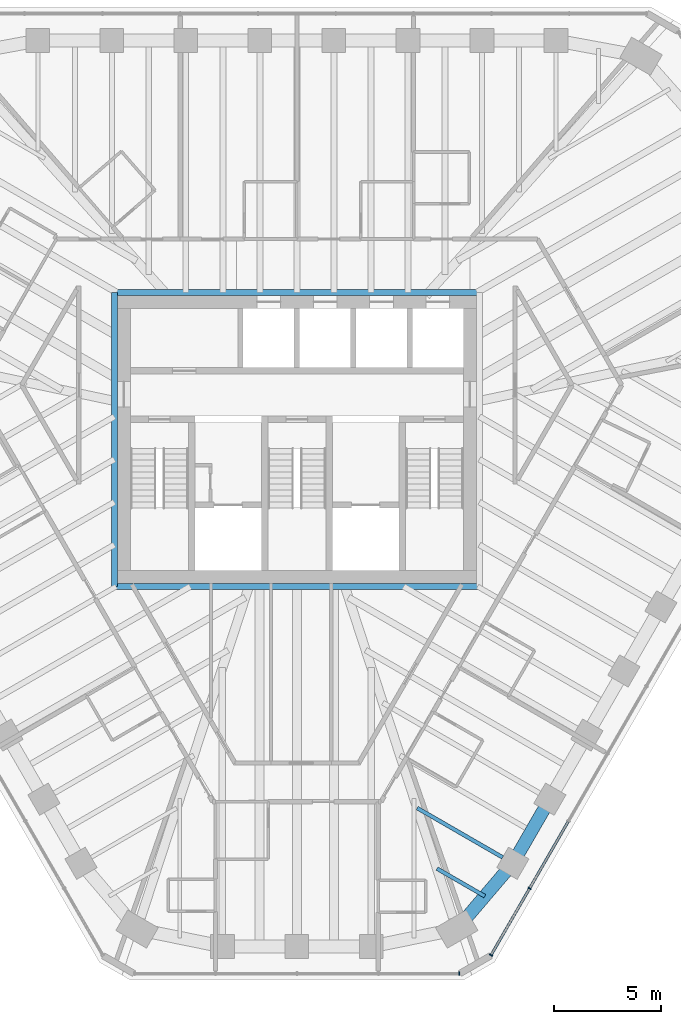
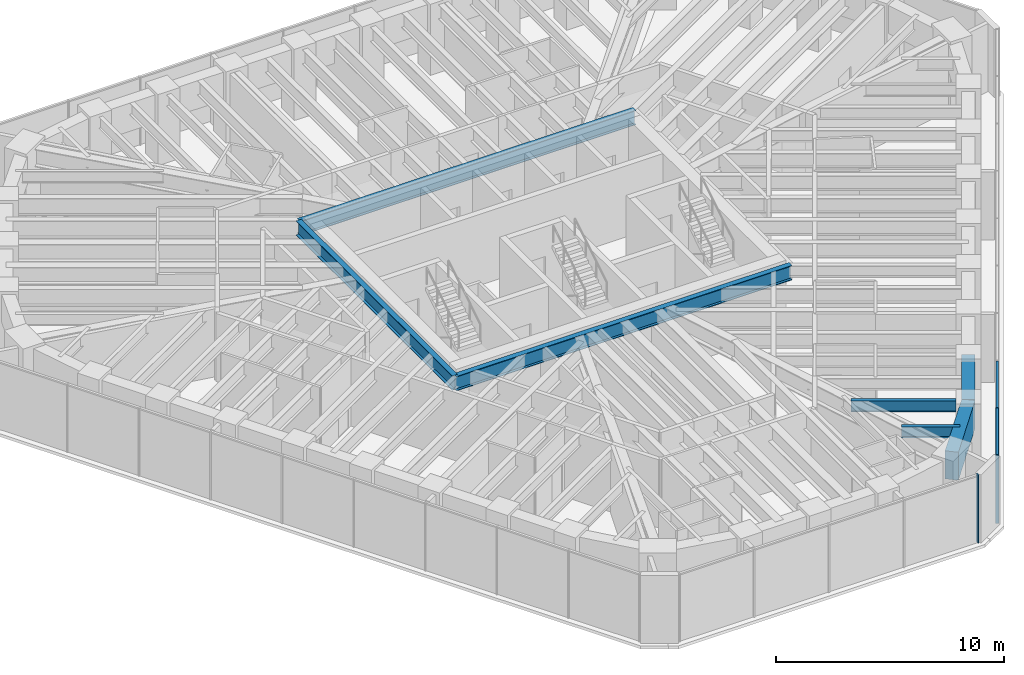
# One storey, part 4 of 14: 7 beams, 5 members, 2 elements without a shape of their own.
"""IFC4 building model written with IfcOpenShell, lengths in metres."""

from ifc_helpers import new_model, si_unit, direction, frame, origin, origin_2d, place, context, subcontext, project, spatial, rectangle, i_section, extrude, material, material_profile, profile_set, type_object, element, aggregate, save


model = new_model("IFC4")

# Units and contexts
model_context = context("Model", 3, precision=1e-05, world=origin(), true_north=direction((0.0, 1.0)))
body_context = subcontext(model_context, "Body", "Model", "MODEL_VIEW")
ifc_project = project(units=[si_unit("LENGTHUNIT", "METRE"), si_unit("AREAUNIT", "SQUARE_METRE"), si_unit("VOLUMEUNIT", "CUBIC_METRE"), si_unit("PLANEANGLEUNIT", "RADIAN"), si_unit("MASSUNIT", "GRAM", prefix="KILO")], contexts=[model_context])

# Site, building, storey
site_placement = place(None, origin())
site = spatial("IfcSite", under=ifc_project, at=site_placement, CompositionType="ELEMENT")
building_placement = place(site_placement, origin())
building = spatial("IfcBuilding", under=site, at=building_placement, Name="Sandreach Pilgrim Tower", CompositionType="ELEMENT")
storey_placement = place(building_placement, frame((0.0, 0.0, 295.0)))
storey = spatial("IfcBuildingStorey", under=building, at=storey_placement, Name="L74", CompositionType="ELEMENT", Elevation=295.0)

# Curtain wall, members
ifc_material_1 = material(Name="Aluminium framed curtain wall", Category="aluminium")
curtain_wall_type = type_object("IfcCurtainWallType", Name="Suite tower curtain wall", PredefinedType="NOTDEFINED", material=ifc_material_1)
curtain_wall_1_placement = place(storey_placement, origin())
curtain_wall_1 = element("IfcCurtainWall", 1, at=curtain_wall_1_placement, inside=storey, type_object=curtain_wall_type, Name="CW-4 L74 SE", PredefinedType="NOTDEFINED")
ifc_material_2 = material(Name="Aluminium extrusion", Category="aluminium")
ifc_material_profile_1 = material_profile(ifc_material_2, rectangle(XDim=0.06005859375, YDim=0.159912109375, at=origin_2d()), Name="CW-4M 60X160")
ifc_profile_set_1 = profile_set([ifc_material_profile_1], Name="Aluminium extrusion")
member_type_1 = type_object("IfcMemberType", Name="CW-4 mullion", PredefinedType="MULLION", material=ifc_profile_set_1)
member_1_placement = place(storey_placement, frame((10.83203125, -20.891357421875, 0.0), z_axis=(0.0, 0.0, 1.0), x_axis=(-0.5, -0.866025403784, 0.0)))
member_1 = element("IfcMember", 2, at=member_1_placement, type_object=member_type_1, Name="CW-4 mullion 9", PredefinedType="MULLION", context=body_context, shape_type="SweptSolid", body=[
    extrude(rectangle(XDim=0.06005859375, YDim=0.159912109375, at=origin_2d()), origin(), (0.0, 0.0, 1.0), 3.639892578125),
])
member_2_placement = place(storey_placement, frame((9.035888671875, -24.001953125, 0.0), z_axis=(0.0, 0.0, 1.0), x_axis=(-0.5, -0.866025403784, 0.0)))
member_2 = element("IfcMember", 3, at=member_2_placement, type_object=member_type_1, Name="CW-4 mullion 10", PredefinedType="MULLION", context=body_context, shape_type="SweptSolid", body=[
    extrude(rectangle(XDim=0.06005859375, YDim=0.159912109375, at=origin_2d()), origin(), (0.0, 0.0, 1.0), 3.639892578125),
])

# Curtain wall, member
curtain_wall_2_placement = place(storey_placement, origin())
curtain_wall_2 = element("IfcCurtainWall", 4, at=curtain_wall_2_placement, inside=storey, type_object=curtain_wall_type, Name="CW-4 L74 S", PredefinedType="NOTDEFINED")
member_3_placement = place(storey_placement, frame((7.553466796875, -24.858154296875, 0.0), z_axis=(0.0, 0.0, 1.0), x_axis=(-1.0, 0.0, 0.0)))
member_3 = element("IfcMember", 5, at=member_3_placement, type_object=member_type_1, Name="CW-4 mullion 1", PredefinedType="MULLION", context=body_context, shape_type="SweptSolid", body=[
    extrude(rectangle(XDim=0.06005859375, YDim=0.159912109375, at=origin_2d()), origin(), (0.0, 0.0, 1.0), 3.639892578125),
])
aggregate(curtain_wall_2, [member_3])

# Member
ifc_material_3 = material(Name="Aluminium extrusion", Category="aluminium")
ifc_material_profile_2 = material_profile(ifc_material_3, rectangle(XDim=0.1201171875, YDim=0.070068359375, at=origin_2d()), Name="CW-4T 120X70")
ifc_profile_set_2 = profile_set([ifc_material_profile_2], Name="Aluminium extrusion")
member_type_2 = type_object("IfcMemberType", Name="CW-4 transom", PredefinedType="USERDEFINED", material=ifc_profile_set_2)
member_4_placement = place(storey_placement, frame((12.6279296875, -17.78076171875, 3.60498046875), z_axis=(-0.500009219579, -0.866020080793, 0.0), x_axis=(0.866020080793, -0.500009219579, 0.0)))
member_4 = element("IfcMember", 6, at=member_4_placement, type_object=member_type_2, Name="CW-4 head transom 8", ObjectType="TRANSOM", PredefinedType="USERDEFINED", context=body_context, shape_type="SweptSolid", body=[
    extrude(rectangle(XDim=0.1201171875, YDim=0.070068359375, at=origin_2d()), origin(), (0.0, 0.0, 1.0), 3.56201171875),
])

member_5_placement = place(storey_placement, frame((10.81689453125, -20.91748046875, 3.60498046875), z_axis=(-0.499997709859, -0.866026725994, 0.0), x_axis=(0.866026725994, -0.499997709859, 0.0)))
member_5 = element("IfcMember", 7, at=member_5_placement, type_object=member_type_2, Name="CW-4 head transom 9", ObjectType="TRANSOM", PredefinedType="USERDEFINED", context=body_context, shape_type="SweptSolid", body=[
    extrude(rectangle(XDim=0.1201171875, YDim=0.070068359375, at=origin_2d()), origin(), (0.0, 0.0, 1.0), 3.53173828125),
])

aggregate(curtain_wall_1, [member_1, member_2, member_4, member_5])

# Beams
ifc_material_4 = material(Name="Steel ASTM A992 Grade 50", Category="steel")
ifc_material_profile_3 = material_profile(ifc_material_4, i_section(OverallWidth=0.2666015625, OverallDepth=0.77978515625, WebThickness=0.0166015625, FlangeThickness=0.030029296875, at=origin_2d()), Name="W30X148")
ifc_profile_set_3 = profile_set([ifc_material_profile_3], Name="Steel ASTM A992 Grade 50")
beam_type_1 = type_object("IfcBeamType", Name="Core edge beam W30X148", PredefinedType="BEAM", material=ifc_profile_set_3)
for number, where, z_axis, x_axis, name in (
    (8, (-8.493408203125, 6.84326171875, 3.25), (1.0, 0.0, 0.0), (0.0, 1.0, 0.0), "BM L74 CEN"),
    (9, (8.493408203125, -6.84326171875, 3.25), (-1.0, 0.0, 0.0), (0.0, -1.0, 0.0), "BM L74 CES"),
):
    element("IfcBeam", number, at=place(storey_placement, frame(where, z_axis=z_axis, x_axis=x_axis)), inside=storey, type_object=beam_type_1, Name=name, PredefinedType="BEAM", context=body_context, shape_type="SweptSolid", body=[
        extrude(i_section(OverallWidth=0.2666015625, OverallDepth=0.77978515625, WebThickness=0.0166015625, FlangeThickness=0.030029296875, at=origin_2d()), origin(), (0.0, 0.0, 1.0), 16.98681640625),
    ])
beam_1_placement = place(storey_placement, frame((-8.493408203125, -6.84326171875, 3.25), z_axis=(0.0, 1.0, 0.0), x_axis=(-1.0, 0.0, 0.0)))
element("IfcBeam", 10, at=beam_1_placement, inside=storey, type_object=beam_type_1, Name="BM L74 CEW", PredefinedType="BEAM", context=body_context, shape_type="SweptSolid", body=[
    extrude(i_section(OverallWidth=0.2666015625, OverallDepth=0.77978515625, WebThickness=0.0166015625, FlangeThickness=0.030029296875, at=origin_2d()), origin(), (0.0, 0.0, 1.0), 13.6865234375),
])
ifc_material_5 = material(Name="Steel ASTM A992 Grade 50", Category="steel")
ifc_material_profile_4 = material_profile(ifc_material_5, i_section(OverallWidth=0.1787109375, OverallDepth=0.60205078125, WebThickness=0.010986328125, FlangeThickness=0.014892578125, at=origin_2d()), Name="W24X62")
ifc_profile_set_4 = profile_set([ifc_material_profile_4], Name="Steel ASTM A992 Grade 50")
beam_type_2 = type_object("IfcBeamType", Name="Floor beam W24X62", PredefinedType="BEAM", material=ifc_profile_set_4)
beam_2_placement = place(storey_placement, frame((9.573974609375, -19.450439453125, 3.339111328125), z_axis=(-0.866024320471, 0.50000187635, 0.0), x_axis=(-0.50000187635, -0.866024320471, 0.0)))
element("IfcBeam", 11, at=beam_2_placement, inside=storey, type_object=beam_type_2, Name="BM L74 F21", PredefinedType="BEAM", context=body_context, shape_type="SweptSolid", body=[
    extrude(i_section(OverallWidth=0.1787109375, OverallDepth=0.60205078125, WebThickness=0.010986328125, FlangeThickness=0.014892578125, at=origin_2d()), origin(), (0.0, 0.0, 1.0), 4.58837890625),
])
beam_3_placement = place(storey_placement, frame((8.74462890625, -21.25732421875, 3.339111328125), z_axis=(-0.866041575714, 0.49997198835, 0.0), x_axis=(-0.49997198835, -0.866041575714, 0.0)))
element("IfcBeam", 12, at=beam_3_placement, inside=storey, type_object=beam_type_2, Name="BM L74 FM21", PredefinedType="BEAM", context=body_context, shape_type="SweptSolid", body=[
    extrude(i_section(OverallWidth=0.1787109375, OverallDepth=0.60205078125, WebThickness=0.010986328125, FlangeThickness=0.014892578125, at=origin_2d()), origin(), (0.0, 0.0, 1.0), 2.569091796875),
])
ifc_material_6 = material(Name="Concrete 10000 psi", Category="concrete")
ifc_material_profile_5 = material_profile(ifc_material_6, rectangle(XDim=0.60009765625, YDim=1.5, at=origin_2d()), Name="RC600X1500")
ifc_profile_set_5 = profile_set([ifc_material_profile_5], Name="Concrete 10000 psi")
beam_type_3 = type_object("IfcBeamType", Name="Spandrel beam RC600X1500", PredefinedType="SPANDREL", material=ifc_profile_set_5)
beam_4_placement = place(storey_placement, frame((11.772705078125, -16.741943359375, 2.889892578125), z_axis=(-0.499988291006, -0.866032163869, 0.0), x_axis=(0.866032163869, -0.499988291006, 0.0)))
element("IfcBeam", 13, at=beam_4_placement, inside=storey, type_object=beam_type_3, Name="BM L74 SP20", PredefinedType="SPANDREL", context=body_context, shape_type="SweptSolid", body=[
    extrude(rectangle(XDim=0.60009765625, YDim=1.5, at=origin_2d()), origin(), (0.0, 0.0, 1.0), 3.44482421875),
])
beam_5_placement = place(storey_placement, frame((10.05029296875, -19.725341796875, 2.889892578125), z_axis=(-0.648586192707, -0.761141215958, 0.0), x_axis=(0.761141215958, -0.648586192707, 0.0)))
element("IfcBeam", 14, at=beam_5_placement, inside=storey, type_object=beam_type_3, Name="BM L74 SP21", PredefinedType="SPANDREL", context=body_context, shape_type="SweptSolid", body=[
    extrude(rectangle(XDim=0.60009765625, YDim=1.5, at=origin_2d()), origin(), (0.0, 0.0, 1.0), 4.02587890625),
])

save(model, "model.ifc")
